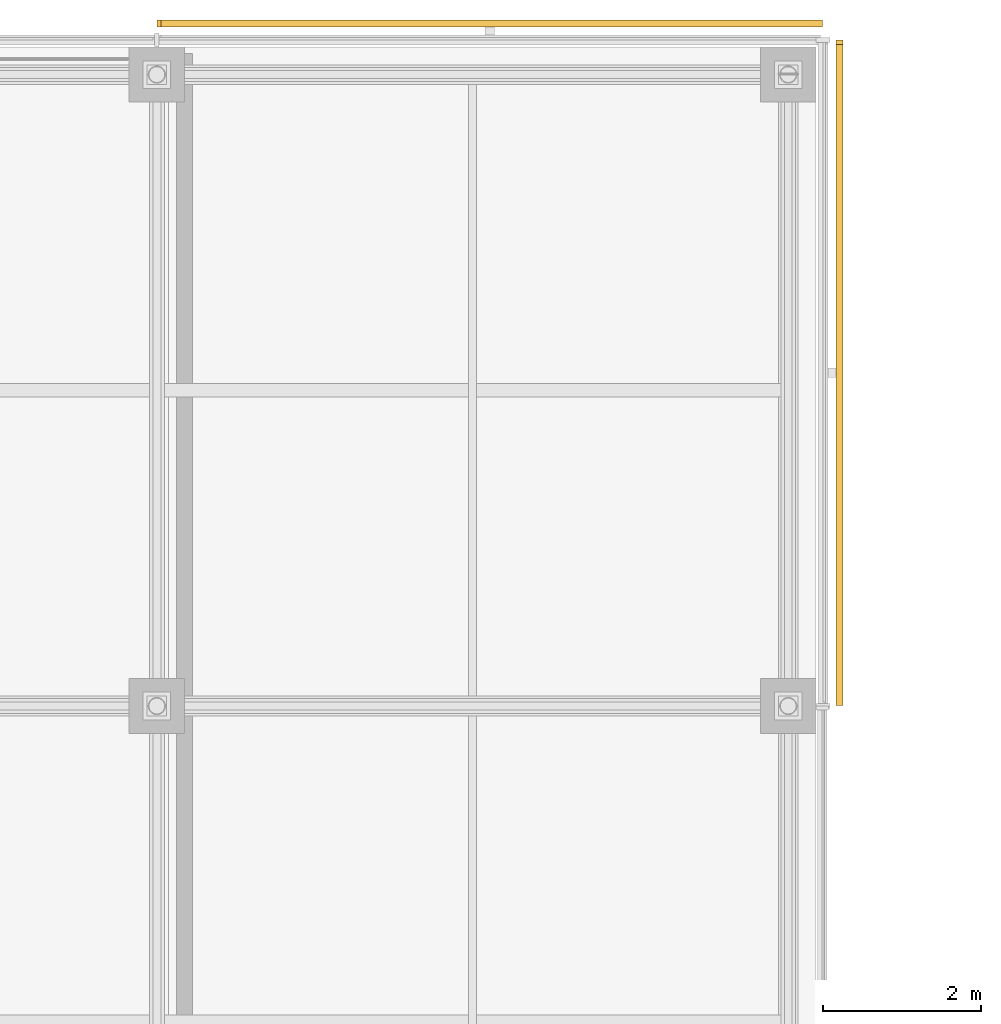
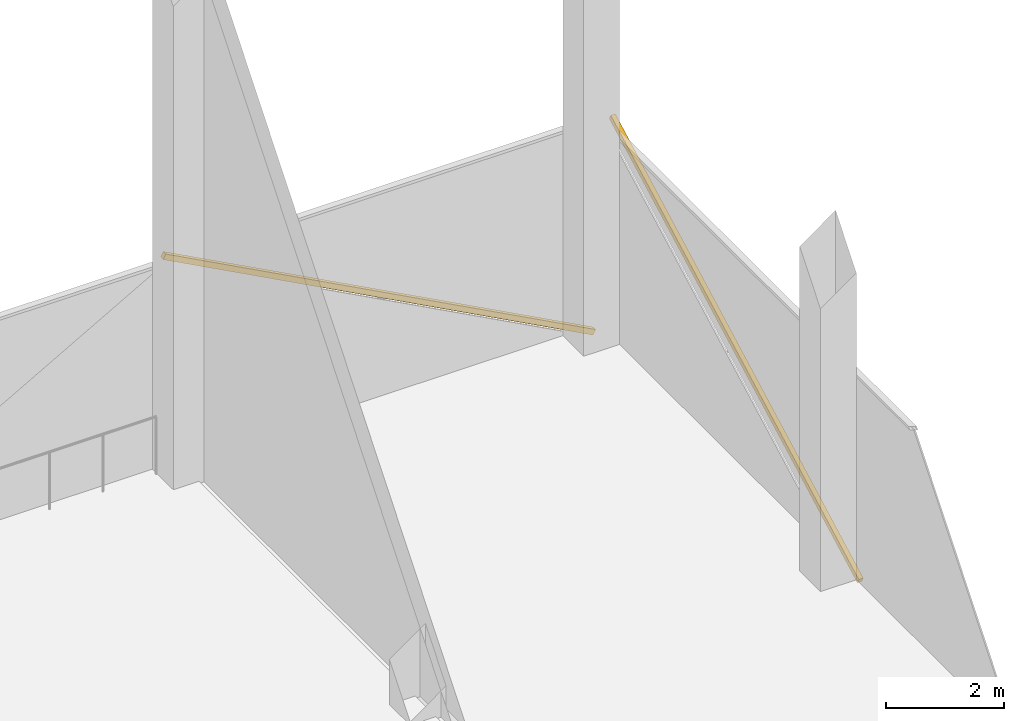
# One storey, part 23 of 23: 2 shading devices, 2 elements without a shape of their own.
"""IFC4 building model written with IfcOpenShell, lengths in metres."""

from ifc_helpers import new_model, si_unit, direction, frame, origin, origin_2d, place, context, subcontext, project, spatial, rectangle, extrude, material, material_profile, profile_set, type_object, element, aggregate, save


model = new_model("IFC4")

# Units and contexts
model_context = context("Model", 3, precision=1e-05, world=origin(), true_north=direction((0.0, 1.0)))
body_context = subcontext(model_context, "Body", "Model", "MODEL_VIEW")
ifc_project = project(units=[si_unit("LENGTHUNIT", "METRE"), si_unit("AREAUNIT", "SQUARE_METRE"), si_unit("VOLUMEUNIT", "CUBIC_METRE"), si_unit("PLANEANGLEUNIT", "RADIAN"), si_unit("MASSUNIT", "GRAM", prefix="KILO")], contexts=[model_context])

# Site, building, storey
site_placement = place(None, origin())
site = spatial("IfcSite", under=ifc_project, at=site_placement, CompositionType="ELEMENT")
building_placement = place(site_placement, origin())
building = spatial("IfcBuilding", under=site, at=building_placement, Name="Crosswind Convention Tower", CompositionType="ELEMENT")
storey_placement = place(building_placement, frame((0.0, 0.0, 349.10009765625)))
storey = spatial("IfcBuildingStorey", under=building, at=storey_placement, Name="L76", CompositionType="ELEMENT", Elevation=349.10009765625)

# Curtain wall, shading device
ifc_material_1 = material(Name="Aluminium unitised curtain wall", Category="aluminium")
curtain_wall_type = type_object("IfcCurtainWallType", Name="CROWN WINDBREAK WALL 180", PredefinedType="USERDEFINED", material=ifc_material_1)
curtain_wall_1_placement = place(storey_placement, origin())
curtain_wall_1 = element("IfcCurtainWall", 1, at=curtain_wall_1_placement, inside=storey, type_object=curtain_wall_type, Name="CW5 L76 N-E 1", ObjectType="UNITISED", PredefinedType="USERDEFINED")
ifc_material_2 = material(Name="Extruded terracotta", Category="masonry")
ifc_material_profile = material_profile(ifc_material_2, rectangle(XDim=0.090087890625, YDim=0.110107421875, at=origin_2d()), Name="TC 90X110")
ifc_profile_set = profile_set([ifc_material_profile], Name="Extruded terracotta")
shading_device_type = type_object("IfcShadingDeviceType", Name="TERRACOTTA BAGUETTE 110X90", PredefinedType="USERDEFINED", material=ifc_profile_set)
shading_device_1_placement = place(storey_placement, frame((137.64697265625, 120.030029296875, -0.35009765625), z_axis=(0.0, 0.881446372325, 0.472284122871), x_axis=(-1.0, 0.0, 0.0)))
shading_device_1 = element("IfcShadingDevice", 2, at=shading_device_1_placement, type_object=shading_device_type, Name="CW5 terracotta baguette 1", ObjectType="BAGUETTE", PredefinedType="USERDEFINED", context=body_context, shape_type="SweptSolid", body=[
    extrude(rectangle(XDim=0.090087890625, YDim=0.110107421875, at=origin_2d()), origin(), (0.0, 0.0, 1.0), 9.507080078125),
])
aggregate(curtain_wall_1, [shading_device_1])

curtain_wall_2_placement = place(storey_placement, origin())
curtain_wall_2 = element("IfcCurtainWall", 3, at=curtain_wall_2_placement, inside=storey, type_object=curtain_wall_type, Name="CW5 L76 N-TIP 1", ObjectType="UNITISED", PredefinedType="USERDEFINED")
shading_device_2_placement = place(storey_placement, frame((137.409912109375, 128.64697265625, -0.35009765625), z_axis=(-0.881446372325, 0.0, 0.472284122871), x_axis=(0.0, -1.0, 0.0)))
shading_device_2 = element("IfcShadingDevice", 4, at=shading_device_2_placement, type_object=shading_device_type, Name="CW5 terracotta baguette 1", ObjectType="BAGUETTE", PredefinedType="USERDEFINED", context=body_context, shape_type="SweptSolid", body=[
    extrude(rectangle(XDim=0.090087890625, YDim=0.110107421875, at=origin_2d()), origin(), (0.0, 0.0, 1.0), 9.507080078125),
])
aggregate(curtain_wall_2, [shading_device_2])

save(model, "model.ifc")
